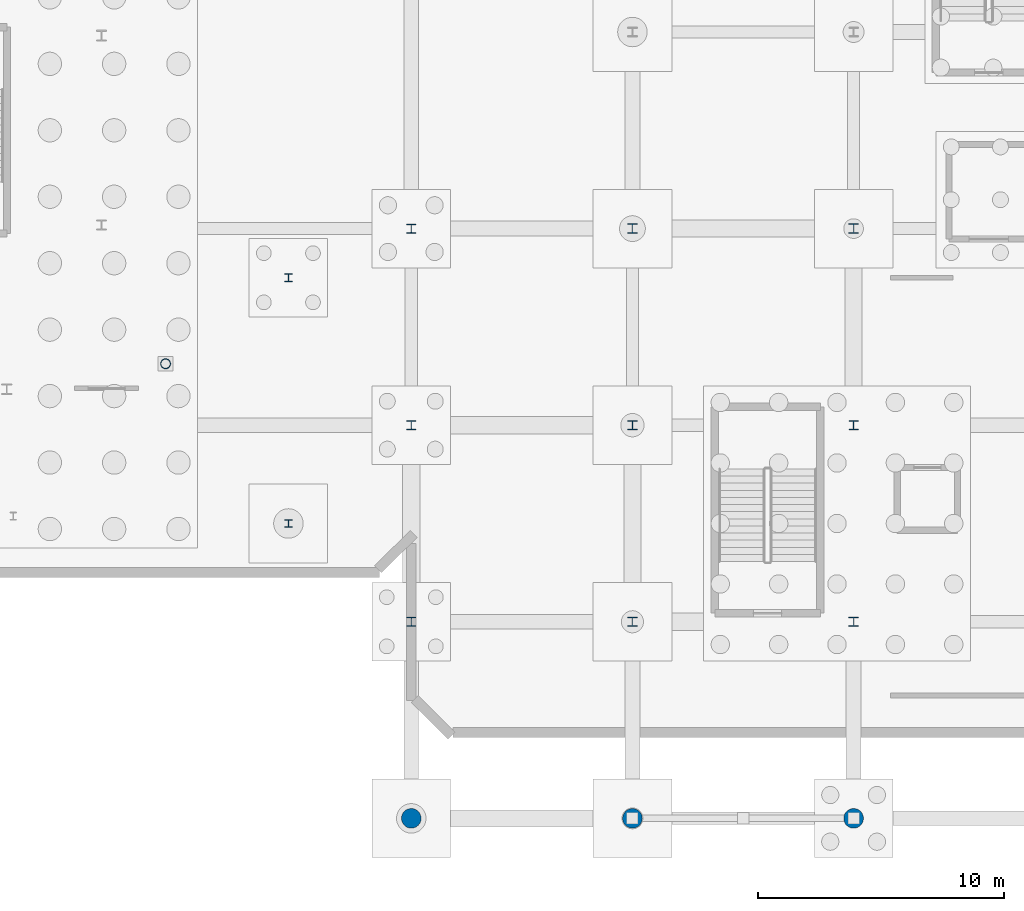
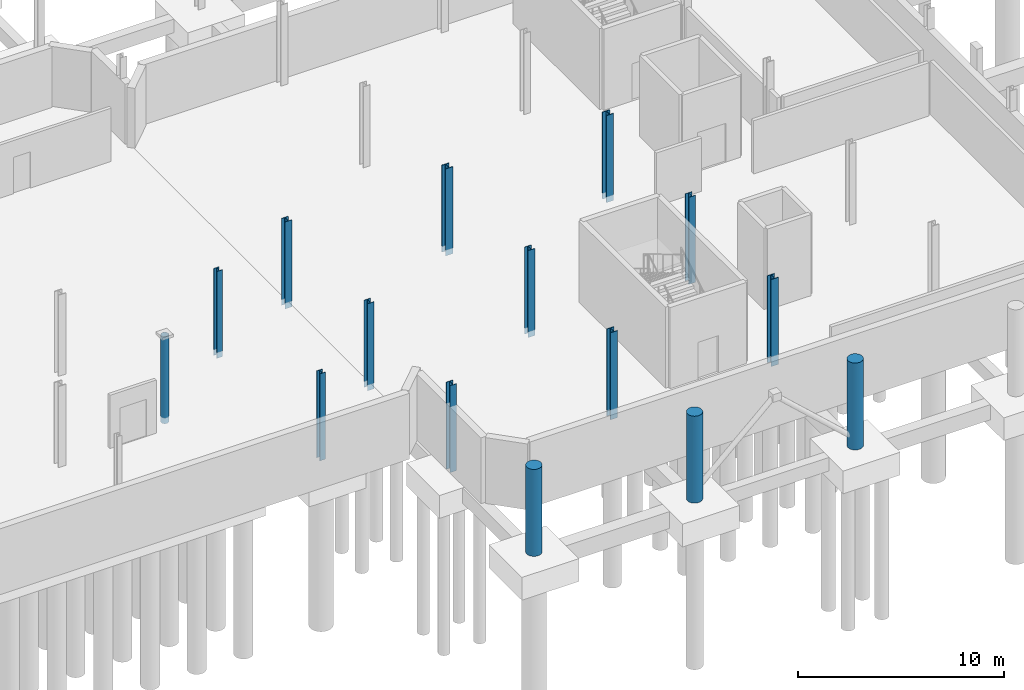
# One storey, part 16 of 37: 15 columns.
"""IFC4 building model written with IfcOpenShell, lengths in metres."""

from ifc_helpers import new_model, si_unit, direction, frame, origin, origin_2d, place, context, subcontext, project, spatial, circle, hollow_circle, i_section, extrude, material, material_profile, profile_set, type_object, element, save


model = new_model("IFC4")

# Units and contexts
model_context = context("Model", 3, precision=1e-05, world=origin(), true_north=direction((0.0, 1.0)))
body_context = subcontext(model_context, "Body", "Model", "MODEL_VIEW")
ifc_project = project(units=[si_unit("LENGTHUNIT", "METRE"), si_unit("AREAUNIT", "SQUARE_METRE"), si_unit("VOLUMEUNIT", "CUBIC_METRE"), si_unit("PLANEANGLEUNIT", "RADIAN"), si_unit("MASSUNIT", "GRAM", prefix="KILO"), si_unit("THERMODYNAMICTEMPERATUREUNIT", "KELVIN"), si_unit("POWERUNIT", "WATT")], contexts=[model_context])

# Site, building, storey
site_placement = place(None, origin())
site = spatial("IfcSite", under=ifc_project, at=site_placement, CompositionType="ELEMENT")
building_placement = place(site_placement, origin())
building = spatial("IfcBuilding", under=site, at=building_placement, Name="Zelmaris Science Centre", CompositionType="ELEMENT")
storey_placement = place(building_placement, frame((0.0, 0.0, -4.800048828125)))
storey = spatial("IfcBuildingStorey", under=building, at=storey_placement, Name="B1", CompositionType="ELEMENT", Elevation=-4.800048828125)

# Columns
ifc_material_1 = material(Name="Steel ASTM A992 Grade 50", Category="steel")
ifc_material_profile_1 = material_profile(ifc_material_1, i_section(OverallWidth=0.40087890625, OverallDepth=0.39892578125, WebThickness=0.02490234375, FlangeThickness=0.03955078125, FilletRadius=0.014892578125, at=origin_2d()), Name="W14X211")
ifc_profile_set_1 = profile_set([ifc_material_profile_1], Name="Steel ASTM A992 Grade 50")
column_type_1 = type_object("IfcColumnType", Name="Column C-03 W14X211", PredefinedType="COLUMN", material=ifc_profile_set_1)
for number, where, z_axis, x_axis, name in (
    (1, (117.0, 16.0, -0.349853515625), (0.0, 0.0, 1.0), (1.0, 0.0, 0.0), "Column V4-C-117-16 B1"),
    (2, (117.0, 32.0, -0.349853515625), (0.0, 0.0, 1.0), (1.0, 0.0, 0.0), "Column V4-C-117-32 B1"),
    (3, (126.0, 16.0, -0.349853515625), (0.0, 0.0, 1.0), (1.0, 0.0, 0.0), "Column V4-C-126-16 B1"),
    (4, (126.0, 32.0, -0.349853515625), (0.0, 0.0, 1.0), (1.0, 0.0, 0.0), "Column V4-C-126-32 B1"),
):
    element("IfcColumn", number, at=place(storey_placement, frame(where, z_axis=z_axis, x_axis=x_axis)), inside=storey, type_object=column_type_1, Name=name, PredefinedType="COLUMN", context=body_context, shape_type="SweptSolid", body=[
        extrude(i_section(OverallWidth=0.40087890625, OverallDepth=0.39892578125, WebThickness=0.02490234375, FlangeThickness=0.03955078125, FilletRadius=0.014892578125, at=origin_2d()), origin(), (0.0, 0.0, 1.0), 5.14990234375),
    ])
ifc_material_profile_2 = material_profile(ifc_material_1, i_section(OverallWidth=0.373046875, OverallDepth=0.367919921875, WebThickness=0.014892578125, FlangeThickness=0.02392578125, FilletRadius=0.014892578125, at=origin_2d()), Name="W14X120")
ifc_profile_set_2 = profile_set([ifc_material_profile_2], Name="Steel ASTM A992 Grade 50")
column_type_2 = type_object("IfcColumnType", Name="Column C-06 W14X120", PredefinedType="COLUMN", material=ifc_profile_set_2)
for number, where, z_axis, x_axis, name in (
    (5, (108.0, 16.0, -0.349853515625), (0.0, 0.0, 1.0), (1.0, 0.0, 0.0), "Column V4-C-108-16 B1"),
    (6, (108.0, 24.0, -0.349853515625), (0.0, 0.0, 1.0), (1.0, 0.0, 0.0), "Column V4-C-108-24 B1"),
    (7, (108.0, 32.0, -0.349853515625), (0.0, 0.0, 1.0), (1.0, 0.0, 0.0), "Column V4-C-108-32 B1"),
    (8, (117.0, 24.0, -0.349853515625), (0.0, 0.0, 1.0), (1.0, 0.0, 0.0), "Column V4-C-117-24 B1"),
    (9, (126.0, 24.0, -0.349853515625), (0.0, 0.0, 1.0), (1.0, 0.0, 0.0), "Column V4-C-126-24 B1"),
):
    element("IfcColumn", number, at=place(storey_placement, frame(where, z_axis=z_axis, x_axis=x_axis)), inside=storey, type_object=column_type_2, Name=name, PredefinedType="COLUMN", context=body_context, shape_type="SweptSolid", body=[
        extrude(i_section(OverallWidth=0.373046875, OverallDepth=0.367919921875, WebThickness=0.014892578125, FlangeThickness=0.02392578125, FilletRadius=0.014892578125, at=origin_2d()), origin(), (0.0, 0.0, 1.0), 5.14990234375),
    ])
ifc_material_profile_3 = material_profile(ifc_material_1, i_section(OverallWidth=0.306884765625, OverallDepth=0.31494140625, WebThickness=0.011962890625, FlangeThickness=0.018798828125, FilletRadius=0.012939453125, at=origin_2d()), Name="W12X79")
ifc_profile_set_3 = profile_set([ifc_material_profile_3], Name="Steel ASTM A992 Grade 50")
column_type_3 = type_object("IfcColumnType", Name="Column C-08 W12X79", PredefinedType="COLUMN", material=ifc_profile_set_3)
for number, where, z_axis, x_axis, name in (
    (10, (103.0, 20.0, -0.349853515625), (0.0, 0.0, 1.0), (1.0, 0.0, 0.0), "Column LK-E-20 B1"),
    (11, (103.0, 30.0, -0.349853515625), (0.0, 0.0, 1.0), (1.0, 0.0, 0.0), "Column LK-E-30 B1"),
):
    element("IfcColumn", number, at=place(storey_placement, frame(where, z_axis=z_axis, x_axis=x_axis)), inside=storey, type_object=column_type_3, Name=name, PredefinedType="COLUMN", context=body_context, shape_type="SweptSolid", body=[
        extrude(i_section(OverallWidth=0.306884765625, OverallDepth=0.31494140625, WebThickness=0.011962890625, FlangeThickness=0.018798828125, FilletRadius=0.012939453125, at=origin_2d()), origin(), (0.0, 0.0, 1.0), 5.14990234375),
    ])
ifc_material_2 = material(Name="Steel ASTM A500 Grade C", Category="steel")
ifc_material_profile_4 = material_profile(ifc_material_2, hollow_circle(Radius=0.203125, WallThickness=0.0146484375, at=origin_2d()), Name="CHS406X16")
ifc_profile_set_4 = profile_set([ifc_material_profile_4], Name="Steel ASTM A500 Grade C")
column_type_4 = type_object("IfcColumnType", Name="Column C-12 CHS406X16", PredefinedType="COLUMN", material=ifc_profile_set_4)
column_placement = place(storey_placement, frame((98.0, 26.5, -0.349853515625), z_axis=(0.0, 0.0, 1.0), x_axis=(1.0, 0.0, 0.0)))
element("IfcColumn", 12, at=column_placement, inside=storey, type_object=column_type_4, Name="Column V2-B1P03 B1", PredefinedType="COLUMN", context=body_context, shape_type="SweptSolid", body=[
    extrude(hollow_circle(Radius=0.203125, WallThickness=0.0146484375, at=origin_2d()), origin(), (0.0, 0.0, 1.0), 5.14990234375),
])
ifc_material_3 = material(Name="Yucatan limestone ashlar masonry", Category="masonry")
ifc_material_profile_5 = material_profile(ifc_material_3, circle(Radius=0.39990234375, at=origin_2d()), Name="COL-LIM-D800")
ifc_profile_set_5 = profile_set([ifc_material_profile_5], Name="Yucatan limestone ashlar masonry")
column_type_5 = type_object("IfcColumnType", Name="Column C-17 COL-LIM-D800", PredefinedType="COLUMN", material=ifc_profile_set_5)
for number, where, z_axis, x_axis, name in (
    (13, (108.0, 8.0, -0.349853515625), (0.0, 0.0, 1.0), (1.0, 0.0, 0.0), "Column V4-C-108-8 B1"),
    (14, (117.0, 8.0, -0.349853515625), (0.0, 0.0, 1.0), (1.0, 0.0, 0.0), "Column V4-C-117-8 B1"),
    (15, (126.0, 8.0, -0.349853515625), (0.0, 0.0, 1.0), (1.0, 0.0, 0.0), "Column V4-C-126-8 B1"),
):
    element("IfcColumn", number, at=place(storey_placement, frame(where, z_axis=z_axis, x_axis=x_axis)), inside=storey, type_object=column_type_5, Name=name, PredefinedType="COLUMN", context=body_context, shape_type="SweptSolid", body=[
        extrude(circle(Radius=0.39990234375, at=origin_2d()), origin(), (0.0, 0.0, 1.0), 5.14990234375),
    ])

save(model, "model.ifc")
